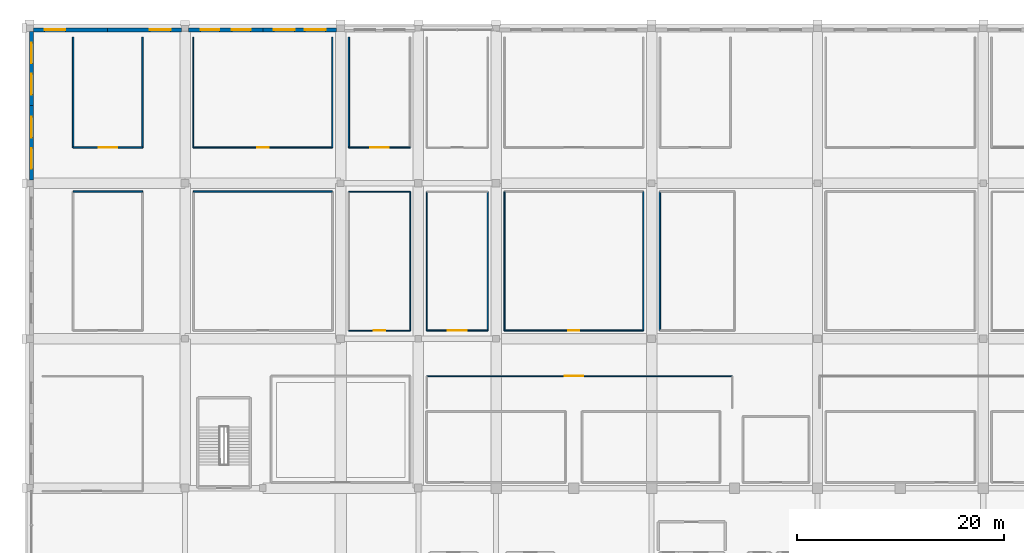
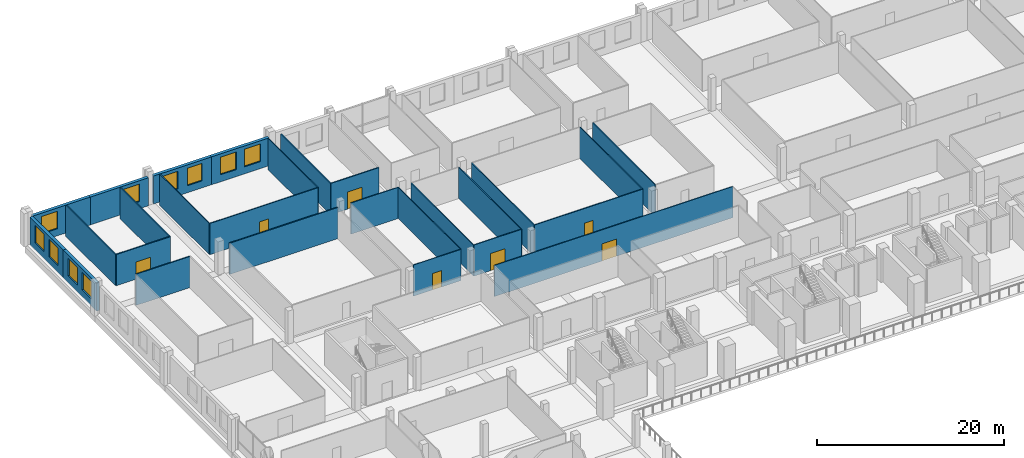
# One storey, part 45 of 64: 27 walls, 10 windows, 7 doors, 17 openings.
"""IFC4 building model written with IfcOpenShell, lengths in metres."""

from ifc_helpers import new_model, si_unit, direction, frame, frame_2d, origin, place, context, subcontext, project, spatial, rectangle, extrude, material, layer, layer_set, type_object, element, fill, save


model = new_model("IFC4")

# Units and contexts
model_context = context("Model", 3, precision=1e-05, world=origin(), true_north=direction((0.0, 1.0)))
body_context = subcontext(model_context, "Body", "Model", "MODEL_VIEW")
ifc_project = project(units=[si_unit("LENGTHUNIT", "METRE"), si_unit("AREAUNIT", "SQUARE_METRE"), si_unit("VOLUMEUNIT", "CUBIC_METRE"), si_unit("PLANEANGLEUNIT", "RADIAN"), si_unit("MASSUNIT", "GRAM", prefix="KILO")], contexts=[model_context])

# Site, building, storey
site_placement = place(None, origin())
site = spatial("IfcSite", under=ifc_project, at=site_placement, CompositionType="ELEMENT")
building_placement = place(site_placement, origin())
building = spatial("IfcBuilding", under=site, at=building_placement, Name="Akrevak Sports Hall", CompositionType="ELEMENT")
storey_placement = place(building_placement, frame((0.0, 0.0, 4.60009765625)))
storey = spatial("IfcBuildingStorey", under=building, at=storey_placement, Name="L01", CompositionType="ELEMENT", Elevation=4.60009765625)

# Wall, opening, window
ifc_material_1 = material(Name="Limestone Ashlar", Category="stone")
ifc_layer_1 = layer(ifc_material_1, 0.080078125, Name="Limestone Ashlar")
ifc_material_2 = material(Name="Mineral Wool Thermal Insulation", Category="insulation")
ifc_layer_2 = layer(ifc_material_2, 0.10009765625, Name="Mineral Wool Thermal Insulation")
ifc_material_3 = material(Name="Concrete C40/50", Category="concrete")
ifc_layer_3 = layer(ifc_material_3, 0.199951171875, Name="Concrete C40/50")
ifc_layer_set_1 = layer_set([ifc_layer_1, ifc_layer_2, ifc_layer_3], Name="Limestone Ashlar / Mineral Wool Thermal Insulation / Concrete C40/50")
wall_type_1 = type_object("IfcWallType", Name="ARC-WL-EXT-380", PredefinedType="SOLIDWALL", material=ifc_layer_set_1)
wall_1_placement = place(storey_placement, frame((7.5, 113.81005859375, 0.0), z_axis=(0.0, 0.0, 1.0), x_axis=(-1.0, 0.0, 0.0)))
wall_1 = element("IfcWall", 1, at=wall_1_placement, inside=storey, type_object=wall_type_1, Name="Exterior Limestone Wall L01-N01", PredefinedType="SOLIDWALL", context=body_context, shape_type="SweptSolid", body=[
    extrude(rectangle(XDim=7.125, YDim=0.3798828125, at=frame_2d((3.5625, 0.0))), origin(), (0.0, 0.0, 1.0), 3.64990234375),
])
opening_1_placement = place(wall_1_placement, frame((4.05859375, 0.0, 0.919921875)))
opening_1 = element("IfcOpeningElement", 2, at=opening_1_placement, cuts=wall_1, Name="Opening WN-29", PredefinedType="OPENING", context=body_context, shape_type="SweptSolid", body=[
    extrude(rectangle(XDim=2.0, YDim=2.300048828125, at=frame_2d((1.0, 1.14990234375))), frame((0.0, 0.201904296875, 0.0), z_axis=(0.0, -1.0, 0.0), x_axis=(1.0, 0.0, 0.0)), (0.0, 0.0, 1.0), 0.40380859375),
])
ifc_material_4 = material(Name="Thermally Broken Bronze Frame & Double Low-E Glass", Category="glass")
window_type_1 = type_object("IfcWindowType", Name="ARC-WIN-SZ-2000x2300", PartitioningType="SINGLE_PANEL", PredefinedType="WINDOW", material=ifc_material_4)
window_1_placement = place(opening_1_placement, origin())
window_1 = element("IfcWindow", 3, at=window_1_placement, inside=storey, type_object=window_type_1, Name="Beaux-Arts Facade Window WIN-L01-N01-1", OverallHeight=2.300048828125, OverallWidth=2.0, PartitioningType="SINGLE_PANEL", PredefinedType="WINDOW", context=body_context, shape_type="SweptSolid", body=[
    extrude(rectangle(XDim=2.0, YDim=2.300048828125, at=frame_2d((1.0, 1.14990234375))), frame((0.0, 0.030029296875, 0.0), z_axis=(0.0, -1.0, 0.0), x_axis=(1.0, 0.0, 0.0)), (0.0, 0.0, 1.0), 0.06005859375),
])
fill(opening_1, window_1)

wall_2_placement = place(storey_placement, frame((14.675048828125, 113.81005859375, 0.0), z_axis=(0.0, 0.0, 1.0), x_axis=(-1.0, 0.0, 0.0)))
wall_2 = element("IfcWall", 4, at=wall_2_placement, inside=storey, type_object=wall_type_1, Name="Exterior Limestone Wall L01-N02", PredefinedType="SOLIDWALL", context=body_context, shape_type="SweptSolid", body=[
    extrude(rectangle(XDim=7.175048828125, YDim=0.3798828125, at=frame_2d((3.58740234375, 0.0))), origin(), (0.0, 0.0, 1.0), 3.64990234375),
])
opening_2_placement = place(wall_2_placement, frame((1.080810546875, 0.0, 0.919921875)))
opening_2 = element("IfcOpeningElement", 5, at=opening_2_placement, cuts=wall_2, Name="Opening WN-29", PredefinedType="OPENING", context=body_context, shape_type="SweptSolid", body=[
    extrude(rectangle(XDim=2.0, YDim=2.300048828125, at=frame_2d((1.0, 1.14990234375))), frame((0.0, 0.201904296875, 0.0), z_axis=(0.0, -1.0, 0.0), x_axis=(1.0, 0.0, 0.0)), (0.0, 0.0, 1.0), 0.40380859375),
])
window_2_placement = place(opening_2_placement, origin())
window_2 = element("IfcWindow", 6, at=window_2_placement, inside=storey, type_object=window_type_1, Name="Beaux-Arts Facade Window WIN-L01-N02-2", OverallHeight=2.300048828125, OverallWidth=2.0, PartitioningType="SINGLE_PANEL", PredefinedType="WINDOW", context=body_context, shape_type="SweptSolid", body=[
    extrude(rectangle(XDim=2.0, YDim=2.300048828125, at=frame_2d((1.0, 1.14990234375))), frame((0.0, 0.030029296875, 0.0), z_axis=(0.0, -1.0, 0.0), x_axis=(1.0, 0.0, 0.0)), (0.0, 0.0, 1.0), 0.06005859375),
])
fill(opening_2, window_2)

# Wall, openings, windows
wall_3_placement = place(storey_placement, frame((22.5, 113.81005859375, 0.0), z_axis=(0.0, 0.0, 1.0), x_axis=(-1.0, 0.0, 0.0)))
wall_3 = element("IfcWall", 7, at=wall_3_placement, inside=storey, type_object=wall_type_1, Name="Exterior Limestone Wall L01-N03", PredefinedType="SOLIDWALL", context=body_context, shape_type="SweptSolid", body=[
    extrude(rectangle(XDim=7.175048828125, YDim=0.3798828125, at=frame_2d((3.58740234375, 0.0))), origin(), (0.0, 0.0, 1.0), 3.64990234375),
])
opening_3_placement = place(wall_3_placement, frame((4.1943359375, 0.0, 0.919921875)))
opening_3 = element("IfcOpeningElement", 8, at=opening_3_placement, cuts=wall_3, Name="Opening WN-31", PredefinedType="OPENING", context=body_context, shape_type="SweptSolid", body=[
    extrude(rectangle(XDim=1.800048828125, YDim=2.300048828125, at=frame_2d((0.89990234375, 1.14990234375))), frame((0.0, 0.201904296875, 0.0), z_axis=(0.0, -1.0, 0.0), x_axis=(1.0, 0.0, 0.0)), (0.0, 0.0, 1.0), 0.40380859375),
])
opening_4_placement = place(wall_3_placement, frame((1.180908203125, 0.0, 0.919921875)))
opening_4 = element("IfcOpeningElement", 9, at=opening_4_placement, cuts=wall_3, Name="Opening WN-31", PredefinedType="OPENING", context=body_context, shape_type="SweptSolid", body=[
    extrude(rectangle(XDim=1.800048828125, YDim=2.300048828125, at=frame_2d((0.89990234375, 1.14990234375))), frame((0.0, 0.201904296875, 0.0), z_axis=(0.0, -1.0, 0.0), x_axis=(1.0, 0.0, 0.0)), (0.0, 0.0, 1.0), 0.40380859375),
])
window_type_2 = type_object("IfcWindowType", Name="ARC-WIN-SZ-1800x2300", PartitioningType="SINGLE_PANEL", PredefinedType="WINDOW", material=ifc_material_4)
window_3_placement = place(opening_3_placement, origin())
window_3 = element("IfcWindow", 10, at=window_3_placement, inside=storey, type_object=window_type_2, Name="Beaux-Arts Facade Window WIN-L01-N03-1", OverallHeight=2.300048828125, OverallWidth=1.800048828125, PartitioningType="SINGLE_PANEL", PredefinedType="WINDOW", context=body_context, shape_type="SweptSolid", body=[
    extrude(rectangle(XDim=1.800048828125, YDim=2.300048828125, at=frame_2d((0.89990234375, 1.14990234375))), frame((0.0, 0.030029296875, 0.0), z_axis=(0.0, -1.0, 0.0), x_axis=(1.0, 0.0, 0.0)), (0.0, 0.0, 1.0), 0.06005859375),
])
fill(opening_3, window_3)
window_4_placement = place(opening_4_placement, origin())
window_4 = element("IfcWindow", 11, at=window_4_placement, inside=storey, type_object=window_type_2, Name="Beaux-Arts Facade Window WIN-L01-N03-2", OverallHeight=2.300048828125, OverallWidth=1.800048828125, PartitioningType="SINGLE_PANEL", PredefinedType="WINDOW", context=body_context, shape_type="SweptSolid", body=[
    extrude(rectangle(XDim=1.800048828125, YDim=2.300048828125, at=frame_2d((0.89990234375, 1.14990234375))), frame((0.0, 0.030029296875, 0.0), z_axis=(0.0, -1.0, 0.0), x_axis=(1.0, 0.0, 0.0)), (0.0, 0.0, 1.0), 0.06005859375),
])
fill(opening_4, window_4)

wall_4_placement = place(storey_placement, frame((29.625, 113.81005859375, 0.0), z_axis=(0.0, 0.0, 1.0), x_axis=(-1.0, 0.0, 0.0)))
wall_4 = element("IfcWall", 12, at=wall_4_placement, inside=storey, type_object=wall_type_1, Name="Exterior Limestone Wall L01-N04", PredefinedType="SOLIDWALL", context=body_context, shape_type="SweptSolid", body=[
    extrude(rectangle(XDim=7.125, YDim=0.3798828125, at=frame_2d((3.5625, 0.0))), origin(), (0.0, 0.0, 1.0), 3.64990234375),
])
opening_5_placement = place(wall_4_placement, frame((4.05859375, 0.0, 0.919921875)))
opening_5 = element("IfcOpeningElement", 13, at=opening_5_placement, cuts=wall_4, Name="Opening WN-29", PredefinedType="OPENING", context=body_context, shape_type="SweptSolid", body=[
    extrude(rectangle(XDim=2.0, YDim=2.300048828125, at=frame_2d((1.0, 1.14990234375))), frame((0.0, 0.201904296875, 0.0), z_axis=(0.0, -1.0, 0.0), x_axis=(1.0, 0.0, 0.0)), (0.0, 0.0, 1.0), 0.40380859375),
])
opening_6_placement = place(wall_4_placement, frame((1.06640625, 0.0, 0.919921875)))
opening_6 = element("IfcOpeningElement", 14, at=opening_6_placement, cuts=wall_4, Name="Opening WN-29", PredefinedType="OPENING", context=body_context, shape_type="SweptSolid", body=[
    extrude(rectangle(XDim=2.0, YDim=2.300048828125, at=frame_2d((1.0, 1.14990234375))), frame((0.0, 0.201904296875, 0.0), z_axis=(0.0, -1.0, 0.0), x_axis=(1.0, 0.0, 0.0)), (0.0, 0.0, 1.0), 0.40380859375),
])
window_5_placement = place(opening_5_placement, origin())
window_5 = element("IfcWindow", 15, at=window_5_placement, inside=storey, type_object=window_type_1, Name="Beaux-Arts Facade Window WIN-L01-N04-1", OverallHeight=2.300048828125, OverallWidth=2.0, PartitioningType="SINGLE_PANEL", PredefinedType="WINDOW", context=body_context, shape_type="SweptSolid", body=[
    extrude(rectangle(XDim=2.0, YDim=2.300048828125, at=frame_2d((1.0, 1.14990234375))), frame((0.0, 0.030029296875, 0.0), z_axis=(0.0, -1.0, 0.0), x_axis=(1.0, 0.0, 0.0)), (0.0, 0.0, 1.0), 0.06005859375),
])
fill(opening_5, window_5)
window_6_placement = place(opening_6_placement, origin())
window_6 = element("IfcWindow", 16, at=window_6_placement, inside=storey, type_object=window_type_1, Name="Beaux-Arts Facade Window WIN-L01-N04-2", OverallHeight=2.300048828125, OverallWidth=2.0, PartitioningType="SINGLE_PANEL", PredefinedType="WINDOW", context=body_context, shape_type="SweptSolid", body=[
    extrude(rectangle(XDim=2.0, YDim=2.300048828125, at=frame_2d((1.0, 1.14990234375))), frame((0.0, 0.030029296875, 0.0), z_axis=(0.0, -1.0, 0.0), x_axis=(1.0, 0.0, 0.0)), (0.0, 0.0, 1.0), 0.06005859375),
])
fill(opening_6, window_6)

wall_5_placement = place(storey_placement, frame((0.18994140625, 106.5, 0.0), z_axis=(0.0, 0.0, 1.0), x_axis=(0.0, -1.0, 0.0)))
wall_5 = element("IfcWall", 17, at=wall_5_placement, inside=storey, type_object=wall_type_1, Name="Exterior Limestone Wall L01-W13", PredefinedType="SOLIDWALL", context=body_context, shape_type="SweptSolid", body=[
    extrude(rectangle(XDim=7.175048828125, YDim=0.3798828125, at=frame_2d((3.58740234375, 0.0))), origin(), (0.0, 0.0, 1.0), 3.64990234375),
])
opening_7_placement = place(wall_5_placement, frame((4.09423828125, 0.0, 0.919921875)))
opening_7 = element("IfcOpeningElement", 18, at=opening_7_placement, cuts=wall_5, Name="Opening WN-29", PredefinedType="OPENING", context=body_context, shape_type="SweptSolid", body=[
    extrude(rectangle(XDim=2.0, YDim=2.300048828125, at=frame_2d((1.0, 1.14990234375))), frame((0.0, 0.201904296875, 0.0), z_axis=(0.0, -1.0, 0.0), x_axis=(1.0, 0.0, 0.0)), (0.0, 0.0, 1.0), 0.40380859375),
])
opening_8_placement = place(wall_5_placement, frame((1.080810546875, 0.0, 0.919921875)))
opening_8 = element("IfcOpeningElement", 19, at=opening_8_placement, cuts=wall_5, Name="Opening WN-29", PredefinedType="OPENING", context=body_context, shape_type="SweptSolid", body=[
    extrude(rectangle(XDim=2.0, YDim=2.300048828125, at=frame_2d((1.0, 1.14990234375))), frame((0.0, 0.201904296875, 0.0), z_axis=(0.0, -1.0, 0.0), x_axis=(1.0, 0.0, 0.0)), (0.0, 0.0, 1.0), 0.40380859375),
])
window_7_placement = place(opening_7_placement, origin())
window_7 = element("IfcWindow", 20, at=window_7_placement, inside=storey, type_object=window_type_1, Name="Beaux-Arts Facade Window WIN-L01-W13-1", OverallHeight=2.300048828125, OverallWidth=2.0, PartitioningType="SINGLE_PANEL", PredefinedType="WINDOW", context=body_context, shape_type="SweptSolid", body=[
    extrude(rectangle(XDim=2.0, YDim=2.300048828125, at=frame_2d((1.0, 1.14990234375))), frame((0.0, 0.030029296875, 0.0), z_axis=(0.0, -1.0, 0.0), x_axis=(1.0, 0.0, 0.0)), (0.0, 0.0, 1.0), 0.06005859375),
])
fill(opening_7, window_7)
window_8_placement = place(opening_8_placement, origin())
window_8 = element("IfcWindow", 21, at=window_8_placement, inside=storey, type_object=window_type_1, Name="Beaux-Arts Facade Window WIN-L01-W13-2", OverallHeight=2.300048828125, OverallWidth=2.0, PartitioningType="SINGLE_PANEL", PredefinedType="WINDOW", context=body_context, shape_type="SweptSolid", body=[
    extrude(rectangle(XDim=2.0, YDim=2.300048828125, at=frame_2d((1.0, 1.14990234375))), frame((0.0, 0.030029296875, 0.0), z_axis=(0.0, -1.0, 0.0), x_axis=(1.0, 0.0, 0.0)), (0.0, 0.0, 1.0), 0.06005859375),
])
fill(opening_8, window_8)

wall_6_placement = place(storey_placement, frame((0.18994140625, 113.625, 0.0), z_axis=(0.0, 0.0, 1.0), x_axis=(0.0, -1.0, 0.0)))
wall_6 = element("IfcWall", 22, at=wall_6_placement, inside=storey, type_object=wall_type_1, Name="Exterior Limestone Wall L01-W14", PredefinedType="SOLIDWALL", context=body_context, shape_type="SweptSolid", body=[
    extrude(rectangle(XDim=7.125, YDim=0.3798828125, at=frame_2d((3.5625, 0.0))), origin(), (0.0, 0.0, 1.0), 3.64990234375),
])
opening_9_placement = place(wall_6_placement, frame((4.058837890625, 0.0, 0.919921875)))
opening_9 = element("IfcOpeningElement", 23, at=opening_9_placement, cuts=wall_6, Name="Opening WN-29", PredefinedType="OPENING", context=body_context, shape_type="SweptSolid", body=[
    extrude(rectangle(XDim=2.0, YDim=2.300048828125, at=frame_2d((1.0, 1.14990234375))), frame((0.0, 0.201904296875, 0.0), z_axis=(0.0, -1.0, 0.0), x_axis=(1.0, 0.0, 0.0)), (0.0, 0.0, 1.0), 0.40380859375),
])
opening_10_placement = place(wall_6_placement, frame((1.066162109375, 0.0, 0.919921875)))
opening_10 = element("IfcOpeningElement", 24, at=opening_10_placement, cuts=wall_6, Name="Opening WN-29", PredefinedType="OPENING", context=body_context, shape_type="SweptSolid", body=[
    extrude(rectangle(XDim=2.0, YDim=2.300048828125, at=frame_2d((1.0, 1.14990234375))), frame((0.0, 0.201904296875, 0.0), z_axis=(0.0, -1.0, 0.0), x_axis=(1.0, 0.0, 0.0)), (0.0, 0.0, 1.0), 0.40380859375),
])
window_9_placement = place(opening_9_placement, origin())
window_9 = element("IfcWindow", 25, at=window_9_placement, inside=storey, type_object=window_type_1, Name="Beaux-Arts Facade Window WIN-L01-W14-1", OverallHeight=2.300048828125, OverallWidth=2.0, PartitioningType="SINGLE_PANEL", PredefinedType="WINDOW", context=body_context, shape_type="SweptSolid", body=[
    extrude(rectangle(XDim=2.0, YDim=2.300048828125, at=frame_2d((1.0, 1.14990234375))), frame((0.0, 0.030029296875, 0.0), z_axis=(0.0, -1.0, 0.0), x_axis=(1.0, 0.0, 0.0)), (0.0, 0.0, 1.0), 0.06005859375),
])
fill(opening_9, window_9)
window_10_placement = place(opening_10_placement, origin())
window_10 = element("IfcWindow", 26, at=window_10_placement, inside=storey, type_object=window_type_1, Name="Beaux-Arts Facade Window WIN-L01-W14-2", OverallHeight=2.300048828125, OverallWidth=2.0, PartitioningType="SINGLE_PANEL", PredefinedType="WINDOW", context=body_context, shape_type="SweptSolid", body=[
    extrude(rectangle(XDim=2.0, YDim=2.300048828125, at=frame_2d((1.0, 1.14990234375))), frame((0.0, 0.030029296875, 0.0), z_axis=(0.0, -1.0, 0.0), x_axis=(1.0, 0.0, 0.0)), (0.0, 0.0, 1.0), 0.06005859375),
])
fill(opening_10, window_10)

# Wall, opening, door
ifc_material_5 = material(Name="Sanitary Cubicle Partition", Category="gypsum")
ifc_layer_4 = layer(ifc_material_5, 0.10009765625, Name="Sanitary Cubicle Partition")
ifc_layer_set_2 = layer_set([ifc_layer_4], Name="Sanitary Cubicle Partition")
wall_type_2 = type_object("IfcWallType", Name="ARC-WL-PRT-100", PredefinedType="PARTITIONING", material=ifc_layer_set_2)
wall_7_placement = place(storey_placement, frame((30.800048828125, 84.800048828125, 0.0), z_axis=(0.0, 0.0, 1.0), x_axis=(1.0, 0.0, 0.0)))
wall_7 = element("IfcWall", 27, at=wall_7_placement, inside=storey, type_object=wall_type_2, Name="Interior Partition Sports Clinic Recovery & Physiotherapy Room L01-3 (S)", PredefinedType="PARTITIONING", context=body_context, shape_type="SweptSolid", body=[
    extrude(rectangle(XDim=5.89990234375, YDim=0.10009765625, at=frame_2d((2.949951171875, 0.0))), origin(), (0.0, 0.0, 1.0), 4.079833984375),
])
opening_11_placement = place(wall_7_placement, frame((2.39990234375, 0.0, 0.0)))
opening_11 = element("IfcOpeningElement", 28, at=opening_11_placement, cuts=wall_7, Name="Opening ID-04", PredefinedType="OPENING", context=body_context, shape_type="SweptSolid", body=[
    extrude(rectangle(XDim=1.10009765625, YDim=2.14990234375, at=frame_2d((0.550048828125, 1.074951171875))), frame((0.0, 0.06201171875, 0.0), z_axis=(0.0, -1.0, 0.0), x_axis=(1.0, 0.0, 0.0)), (0.0, 0.0, 1.0), 0.1240234375),
])
ifc_material_6 = material(Name="Hardwood Oak Acoustic Leaf", Category="wood")
door_type_1 = type_object("IfcDoorType", Name="ARC-DR-OFF-110x215", OperationType="NOTDEFINED", PredefinedType="DOOR", material=ifc_material_6)
door_1_placement = place(opening_11_placement, frame((1.10009765625, 0.0, 0.0), z_axis=(0.0, 0.0, 1.0), x_axis=(-1.0, 0.0, 0.0)))
door_1 = element("IfcDoor", 29, at=door_1_placement, inside=storey, type_object=door_type_1, Name="Door to Sports Clinic Recovery & Physiotherapy Room L01-3", OperationType="SINGLE_SWING_RIGHT", OverallHeight=2.14990234375, OverallWidth=1.10009765625, PredefinedType="DOOR", context=body_context, shape_type="SweptSolid", body=[
    extrude(rectangle(XDim=1.10009765625, YDim=2.14990234375, at=frame_2d((0.550048828125, 1.074951171875))), frame((0.0, 0.02490234375, 0.0), z_axis=(0.0, -1.0, 0.0), x_axis=(1.0, 0.0, 0.0)), (0.0, 0.0, 1.0), 0.050048828125),
])
fill(opening_11, door_1)

# Walls
wall_8_placement = place(storey_placement, frame((30.800048828125, 98.199951171875, 0.0), z_axis=(0.0, 0.0, 1.0), x_axis=(1.0, 0.0, 0.0)))
element("IfcWall", 30, at=wall_8_placement, inside=storey, type_object=wall_type_2, Name="Interior Partition Sports Clinic Recovery & Physiotherapy Room L01-3 (N)", PredefinedType="PARTITIONING", context=body_context, shape_type="SweptSolid", body=[
    extrude(rectangle(XDim=5.89990234375, YDim=0.10009765625, at=frame_2d((2.949951171875, 0.0))), origin(), (0.0, 0.0, 1.0), 4.079833984375),
])
wall_9_placement = place(storey_placement, frame((36.699951171875, 84.800048828125, 0.0), z_axis=(0.0, 0.0, 1.0), x_axis=(0.0, 1.0, 0.0)))
element("IfcWall", 31, at=wall_9_placement, inside=storey, type_object=wall_type_2, Name="Interior Partition Sports Clinic Recovery & Physiotherapy Room L01-3 (E)", PredefinedType="PARTITIONING", context=body_context, shape_type="SweptSolid", body=[
    extrude(rectangle(XDim=13.39990234375, YDim=0.10009765625, at=frame_2d((6.699951171875, 0.0))), origin(), (0.0, 0.0, 1.0), 4.079833984375),
])

# Wall, opening, door
wall_10_placement = place(storey_placement, frame((38.300048828125, 80.39990234375, 0.0), z_axis=(0.0, 0.0, 1.0), x_axis=(1.0, 0.0, 0.0)))
wall_10 = element("IfcWall", 32, at=wall_10_placement, inside=storey, type_object=wall_type_2, Name="Interior Partition North Concourse Equipment Storage L01 (N)", PredefinedType="PARTITIONING", context=body_context, shape_type="SweptSolid", body=[
    extrude(rectangle(XDim=29.5, YDim=0.10009765625, at=frame_2d((14.75, 0.0))), origin(), (0.0, 0.0, 1.0), 4.079833984375),
])
opening_12_placement = place(wall_10_placement, frame((13.300048828125, 0.0, 0.0)))
opening_12 = element("IfcOpeningElement", 33, at=opening_12_placement, cuts=wall_10, Name="Opening ID-02", PredefinedType="OPENING", context=body_context, shape_type="SweptSolid", body=[
    extrude(rectangle(XDim=1.800048828125, YDim=2.25, at=frame_2d((0.89990234375, 1.125))), frame((0.0, 0.06201171875, 0.0), z_axis=(0.0, -1.0, 0.0), x_axis=(1.0, 0.0, 0.0)), (0.0, 0.0, 1.0), 0.1240234375),
])
ifc_material_7 = material(Name="Hardwood Oak & Safety Glass", Category="wood")
door_type_2 = type_object("IfcDoorType", Name="ARC-DR-HALL-180x225", OperationType="DOUBLE_DOOR_SINGLE_SWING", PredefinedType="DOOR", material=ifc_material_7)
door_2_placement = place(opening_12_placement, origin())
door_2 = element("IfcDoor", 34, at=door_2_placement, inside=storey, type_object=door_type_2, Name="Door to North Concourse Equipment Storage L01", OperationType="DOUBLE_DOOR_SINGLE_SWING", OverallHeight=2.25, OverallWidth=1.800048828125, PredefinedType="DOOR", context=body_context, shape_type="SweptSolid", body=[
    extrude(rectangle(XDim=1.800048828125, YDim=2.25, at=frame_2d((0.89990234375, 1.125))), frame((0.0, 0.02490234375, 0.0), z_axis=(0.0, -1.0, 0.0), x_axis=(1.0, 0.0, 0.0)), (0.0, 0.0, 1.0), 0.050048828125),
])
fill(opening_12, door_2)

ifc_material_8 = material(Name="Lightweight Office Partition", Category="gypsum")
ifc_layer_5 = layer(ifc_material_8, 0.110107421875, Name="Lightweight Office Partition")
ifc_layer_set_3 = layer_set([ifc_layer_5], Name="Lightweight Office Partition")
wall_type_3 = type_object("IfcWallType", Name="ARC-WL-PRT-110", PredefinedType="PARTITIONING", material=ifc_layer_set_3)
wall_11_placement = place(storey_placement, frame((38.300048828125, 84.800048828125, 0.0), z_axis=(0.0, 0.0, 1.0), x_axis=(1.0, 0.0, 0.0)))
wall_11 = element("IfcWall", 35, at=wall_11_placement, inside=storey, type_object=wall_type_3, Name="Interior Partition Athletic Gear & Equipment Storage L01-4 (S)", PredefinedType="PARTITIONING", context=body_context, shape_type="SweptSolid", body=[
    extrude(rectangle(XDim=5.89990234375, YDim=0.110107421875, at=frame_2d((2.949951171875, 0.0))), origin(), (0.0, 0.0, 1.0), 4.079833984375),
])
opening_13_placement = place(wall_11_placement, frame((2.050048828125, 0.0, 0.0)))
opening_13 = element("IfcOpeningElement", 36, at=opening_13_placement, cuts=wall_11, Name="Opening ID-02", PredefinedType="OPENING", context=body_context, shape_type="SweptSolid", body=[
    extrude(rectangle(XDim=1.800048828125, YDim=2.25, at=frame_2d((0.89990234375, 1.125))), frame((0.0, 0.06689453125, 0.0), z_axis=(0.0, -1.0, 0.0), x_axis=(1.0, 0.0, 0.0)), (0.0, 0.0, 1.0), 0.134033203125),
])
door_3_placement = place(opening_13_placement, origin())
door_3 = element("IfcDoor", 37, at=door_3_placement, inside=storey, type_object=door_type_2, Name="Door to Athletic Gear & Equipment Storage L01-4", OperationType="DOUBLE_DOOR_SINGLE_SWING", OverallHeight=2.25, OverallWidth=1.800048828125, PredefinedType="DOOR", context=body_context, shape_type="SweptSolid", body=[
    extrude(rectangle(XDim=1.800048828125, YDim=2.25, at=frame_2d((0.89990234375, 1.125))), frame((0.0, 0.02490234375, 0.0), z_axis=(0.0, -1.0, 0.0), x_axis=(1.0, 0.0, 0.0)), (0.0, 0.0, 1.0), 0.050048828125),
])
fill(opening_13, door_3)

# Walls
for number, where, z_axis, x_axis, name in (
    (38, (38.300048828125, 84.800048828125, 0.0), (0.0, 0.0, 1.0), (0.0, 1.0, 0.0), "Interior Partition Athletic Gear & Equipment Storage L01-4 (W)"),
    (39, (44.199951171875, 84.800048828125, 0.0), (0.0, 0.0, 1.0), (0.0, 1.0, 0.0), "Interior Partition Athletic Gear & Equipment Storage L01-4 (E)"),
):
    element("IfcWall", number, at=place(storey_placement, frame(where, z_axis=z_axis, x_axis=x_axis)), inside=storey, type_object=wall_type_3, Name=name, PredefinedType="PARTITIONING", context=body_context, shape_type="SweptSolid", body=[
        extrude(rectangle(XDim=13.39990234375, YDim=0.110107421875, at=frame_2d((6.699951171875, 0.0))), origin(), (0.0, 0.0, 1.0), 4.079833984375),
    ])

# Wall, opening, door
wall_12_placement = place(storey_placement, frame((15.800048828125, 102.449951171875, 0.0), z_axis=(0.0, 0.0, 1.0), x_axis=(1.0, 0.0, 0.0)))
wall_12 = element("IfcWall", 40, at=wall_12_placement, inside=storey, type_object=wall_type_3, Name="Interior Partition Federation Officiating & Records Office L01-2 (S)", PredefinedType="PARTITIONING", context=body_context, shape_type="SweptSolid", body=[
    extrude(rectangle(XDim=13.39990234375, YDim=0.110107421875, at=frame_2d((6.699951171875, 0.0))), origin(), (0.0, 0.0, 1.0), 4.079833984375),
])
opening_14_placement = place(wall_12_placement, frame((6.14990234375, 0.0, 0.0)))
opening_14 = element("IfcOpeningElement", 41, at=opening_14_placement, cuts=wall_12, Name="Opening ID-04", PredefinedType="OPENING", context=body_context, shape_type="SweptSolid", body=[
    extrude(rectangle(XDim=1.10009765625, YDim=2.14990234375, at=frame_2d((0.550048828125, 1.074951171875))), frame((0.0, 0.06689453125, 0.0), z_axis=(0.0, -1.0, 0.0), x_axis=(1.0, 0.0, 0.0)), (0.0, 0.0, 1.0), 0.134033203125),
])
door_4_placement = place(opening_14_placement, frame((1.10009765625, 0.0, 0.0), z_axis=(0.0, 0.0, 1.0), x_axis=(-1.0, 0.0, 0.0)))
door_4 = element("IfcDoor", 42, at=door_4_placement, inside=storey, type_object=door_type_1, Name="Door to Federation Officiating & Records Office L01-2", OperationType="SINGLE_SWING_RIGHT", OverallHeight=2.14990234375, OverallWidth=1.10009765625, PredefinedType="DOOR", context=body_context, shape_type="SweptSolid", body=[
    extrude(rectangle(XDim=1.10009765625, YDim=2.14990234375, at=frame_2d((0.550048828125, 1.074951171875))), frame((0.0, 0.02490234375, 0.0), z_axis=(0.0, -1.0, 0.0), x_axis=(1.0, 0.0, 0.0)), (0.0, 0.0, 1.0), 0.050048828125),
])
fill(opening_14, door_4)

# Walls
for number, where, z_axis, x_axis, name in (
    (43, (15.800048828125, 102.449951171875, 0.0), (0.0, 0.0, 1.0), (0.0, 1.0, 0.0), "Interior Partition Federation Officiating & Records Office L01-2 (W)"),
    (44, (29.199951171875, 102.449951171875, 0.0), (0.0, 0.0, 1.0), (0.0, 1.0, 0.0), "Interior Partition Federation Officiating & Records Office L01-2 (E)"),
):
    element("IfcWall", number, at=place(storey_placement, frame(where, z_axis=z_axis, x_axis=x_axis)), inside=storey, type_object=wall_type_3, Name=name, PredefinedType="PARTITIONING", context=body_context, shape_type="SweptSolid", body=[
        extrude(rectangle(XDim=10.650146484375, YDim=0.110107421875, at=frame_2d((5.3251953125, 0.0))), origin(), (0.0, 0.0, 1.0), 4.079833984375),
    ])

# Wall, opening, door
ifc_material_9 = material(Name="Standard Metal Stud Partition", Category="gypsum")
ifc_layer_6 = layer(ifc_material_9, 0.1201171875, Name="Standard Metal Stud Partition")
ifc_layer_set_4 = layer_set([ifc_layer_6], Name="Standard Metal Stud Partition")
wall_type_4 = type_object("IfcWallType", Name="ARC-WL-PRT-120", PredefinedType="PARTITIONING", material=ifc_layer_set_4)
wall_13_placement = place(storey_placement, frame((45.800048828125, 84.800048828125, 0.0), z_axis=(0.0, 0.0, 1.0), x_axis=(1.0, 0.0, 0.0)))
wall_13 = element("IfcWall", 45, at=wall_13_placement, inside=storey, type_object=wall_type_4, Name="Interior Partition Sports Federation Training Office L01-5 (S)", PredefinedType="PARTITIONING", context=body_context, shape_type="SweptSolid", body=[
    extrude(rectangle(XDim=13.39990234375, YDim=0.1201171875, at=frame_2d((6.699951171875, 0.0))), origin(), (0.0, 0.0, 1.0), 4.079833984375),
])
opening_15_placement = place(wall_13_placement, frame((6.175048828125, 0.0, 0.0)))
opening_15 = element("IfcOpeningElement", 46, at=opening_15_placement, cuts=wall_13, Name="Opening ID-05", PredefinedType="OPENING", context=body_context, shape_type="SweptSolid", body=[
    extrude(rectangle(XDim=1.050048828125, YDim=2.14990234375, at=frame_2d((0.52490234375, 1.074951171875))), frame((0.0, 0.072021484375, 0.0), z_axis=(0.0, -1.0, 0.0), x_axis=(1.0, 0.0, 0.0)), (0.0, 0.0, 1.0), 0.14404296875),
])
door_type_3 = type_object("IfcDoorType", Name="ARC-DR-OFF-105x215", OperationType="NOTDEFINED", PredefinedType="DOOR", material=ifc_material_6)
door_5_placement = place(opening_15_placement, origin())
door_5 = element("IfcDoor", 47, at=door_5_placement, inside=storey, type_object=door_type_3, Name="Door to Sports Federation Training Office L01-5", OperationType="SINGLE_SWING_LEFT", OverallHeight=2.14990234375, OverallWidth=1.050048828125, PredefinedType="DOOR", context=body_context, shape_type="SweptSolid", body=[
    extrude(rectangle(XDim=1.050048828125, YDim=2.14990234375, at=frame_2d((0.52490234375, 1.074951171875))), frame((0.0, 0.02490234375, 0.0), z_axis=(0.0, -1.0, 0.0), x_axis=(1.0, 0.0, 0.0)), (0.0, 0.0, 1.0), 0.050048828125),
])
fill(opening_15, door_5)

# Walls
for number, where, z_axis, x_axis, name in (
    (48, (45.800048828125, 84.800048828125, 0.0), (0.0, 0.0, 1.0), (0.0, 1.0, 0.0), "Interior Partition Sports Federation Training Office L01-5 (W)"),
    (49, (59.199951171875, 84.800048828125, 0.0), (0.0, 0.0, 1.0), (0.0, 1.0, 0.0), "Interior Partition Sports Federation Training Office L01-5 (E)"),
):
    element("IfcWall", number, at=place(storey_placement, frame(where, z_axis=z_axis, x_axis=x_axis)), inside=storey, type_object=wall_type_4, Name=name, PredefinedType="PARTITIONING", context=body_context, shape_type="SweptSolid", body=[
        extrude(rectangle(XDim=13.39990234375, YDim=0.1201171875, at=frame_2d((6.699951171875, 0.0))), origin(), (0.0, 0.0, 1.0), 4.079833984375),
    ])
ifc_material_10 = material(Name="Acoustic Metal Stud Partition", Category="gypsum")
ifc_layer_7 = layer(ifc_material_10, 0.1298828125, Name="Acoustic Metal Stud Partition")
ifc_layer_set_5 = layer_set([ifc_layer_7], Name="Acoustic Metal Stud Partition")
wall_type_5 = type_object("IfcWallType", Name="ARC-WL-PRT-130", PredefinedType="PARTITIONING", material=ifc_layer_set_5)
wall_14_placement = place(storey_placement, frame((4.199951171875, 98.199951171875, 0.0), z_axis=(0.0, 0.0, 1.0), x_axis=(1.0, 0.0, 0.0)))
element("IfcWall", 50, at=wall_14_placement, inside=storey, type_object=wall_type_5, Name="Interior Partition Athletic Gear & Equipment Storage L01-1 (N)", PredefinedType="PARTITIONING", context=body_context, shape_type="SweptSolid", body=[
    extrude(rectangle(XDim=6.699951171875, YDim=0.1298828125, at=frame_2d((3.35009765625, 0.0))), origin(), (0.0, 0.0, 1.0), 4.079833984375),
])
wall_15_placement = place(storey_placement, frame((60.800048828125, 84.800048828125, 0.0), z_axis=(0.0, 0.0, 1.0), x_axis=(0.0, 1.0, 0.0)))
element("IfcWall", 51, at=wall_15_placement, inside=storey, type_object=wall_type_5, Name="Interior Partition Sports Clinic Recovery & Physiotherapy Room L01-6 (W)", PredefinedType="PARTITIONING", context=body_context, shape_type="SweptSolid", body=[
    extrude(rectangle(XDim=13.39990234375, YDim=0.1298828125, at=frame_2d((6.699951171875, 0.0))), origin(), (0.0, 0.0, 1.0), 4.079833984375),
])

# Wall, opening, door
wall_16_placement = place(storey_placement, frame((30.800048828125, 102.449951171875, 0.0), z_axis=(0.0, 0.0, 1.0), x_axis=(1.0, 0.0, 0.0)))
wall_16 = element("IfcWall", 52, at=wall_16_placement, inside=storey, type_object=wall_type_5, Name="Interior Partition Competition Equipment Storage L01-3 (S)", PredefinedType="PARTITIONING", context=body_context, shape_type="SweptSolid", body=[
    extrude(rectangle(XDim=5.89990234375, YDim=0.1298828125, at=frame_2d((2.949951171875, 0.0))), origin(), (0.0, 0.0, 1.0), 4.079833984375),
])
opening_16_placement = place(wall_16_placement, frame((2.050048828125, 0.0, 0.0)))
opening_16 = element("IfcOpeningElement", 53, at=opening_16_placement, cuts=wall_16, Name="Opening ID-02", PredefinedType="OPENING", context=body_context, shape_type="SweptSolid", body=[
    extrude(rectangle(XDim=1.800048828125, YDim=2.25, at=frame_2d((0.89990234375, 1.125))), frame((0.0, 0.076904296875, 0.0), z_axis=(0.0, -1.0, 0.0), x_axis=(1.0, 0.0, 0.0)), (0.0, 0.0, 1.0), 0.15380859375),
])
door_6_placement = place(opening_16_placement, origin())
door_6 = element("IfcDoor", 54, at=door_6_placement, inside=storey, type_object=door_type_2, Name="Door to Competition Equipment Storage L01-3", OperationType="DOUBLE_DOOR_SINGLE_SWING", OverallHeight=2.25, OverallWidth=1.800048828125, PredefinedType="DOOR", context=body_context, shape_type="SweptSolid", body=[
    extrude(rectangle(XDim=1.800048828125, YDim=2.25, at=frame_2d((0.89990234375, 1.125))), frame((0.0, 0.02490234375, 0.0), z_axis=(0.0, -1.0, 0.0), x_axis=(1.0, 0.0, 0.0)), (0.0, 0.0, 1.0), 0.050048828125),
])
fill(opening_16, door_6)

# Walls
wall_17_placement = place(storey_placement, frame((30.800048828125, 102.449951171875, 0.0), z_axis=(0.0, 0.0, 1.0), x_axis=(0.0, 1.0, 0.0)))
element("IfcWall", 55, at=wall_17_placement, inside=storey, type_object=wall_type_5, Name="Interior Partition Competition Equipment Storage L01-3 (W)", PredefinedType="PARTITIONING", context=body_context, shape_type="SweptSolid", body=[
    extrude(rectangle(XDim=10.650146484375, YDim=0.1298828125, at=frame_2d((5.3251953125, 0.0))), origin(), (0.0, 0.0, 1.0), 4.079833984375),
])
ifc_material_11 = material(Name="Double Stud Acoustic Gypsum Partition", Category="gypsum")
ifc_layer_8 = layer(ifc_material_11, 0.14990234375, Name="Double Stud Acoustic Gypsum Partition")
ifc_layer_set_6 = layer_set([ifc_layer_8], Name="Double Stud Acoustic Gypsum Partition")
wall_type_6 = type_object("IfcWallType", Name="ARC-WL-PRT-150", PredefinedType="PARTITIONING", material=ifc_layer_set_6)
wall_18_placement = place(storey_placement, frame((15.800048828125, 98.199951171875, 0.0), z_axis=(0.0, 0.0, 1.0), x_axis=(1.0, 0.0, 0.0)))
element("IfcWall", 56, at=wall_18_placement, inside=storey, type_object=wall_type_6, Name="Interior Partition Sports Federation Training Office L01-2 (N)", PredefinedType="PARTITIONING", context=body_context, shape_type="SweptSolid", body=[
    extrude(rectangle(XDim=13.39990234375, YDim=0.14990234375, at=frame_2d((6.699951171875, 0.0))), origin(), (0.0, 0.0, 1.0), 4.079833984375),
])

# Wall, opening, door
wall_19_placement = place(storey_placement, frame((4.199951171875, 102.449951171875, 0.0), z_axis=(0.0, 0.0, 1.0), x_axis=(1.0, 0.0, 0.0)))
wall_19 = element("IfcWall", 57, at=wall_19_placement, inside=storey, type_object=wall_type_6, Name="Interior Partition Competition Equipment Storage L01-1 (S)", PredefinedType="PARTITIONING", context=body_context, shape_type="SweptSolid", body=[
    extrude(rectangle(XDim=6.699951171875, YDim=0.14990234375, at=frame_2d((3.35009765625, 0.0))), origin(), (0.0, 0.0, 1.0), 4.079833984375),
])
opening_17_placement = place(wall_19_placement, frame((2.449951171875, 0.0, 0.0)))
opening_17 = element("IfcOpeningElement", 58, at=opening_17_placement, cuts=wall_19, Name="Opening ID-02", PredefinedType="OPENING", context=body_context, shape_type="SweptSolid", body=[
    extrude(rectangle(XDim=1.800048828125, YDim=2.25, at=frame_2d((0.89990234375, 1.125))), frame((0.0, 0.0869140625, 0.0), z_axis=(0.0, -1.0, 0.0), x_axis=(1.0, 0.0, 0.0)), (0.0, 0.0, 1.0), 0.173828125),
])
door_7_placement = place(opening_17_placement, origin())
door_7 = element("IfcDoor", 59, at=door_7_placement, inside=storey, type_object=door_type_2, Name="Door to Competition Equipment Storage L01-1", OperationType="DOUBLE_DOOR_SINGLE_SWING", OverallHeight=2.25, OverallWidth=1.800048828125, PredefinedType="DOOR", context=body_context, shape_type="SweptSolid", body=[
    extrude(rectangle(XDim=1.800048828125, YDim=2.25, at=frame_2d((0.89990234375, 1.125))), frame((0.0, 0.02490234375, 0.0), z_axis=(0.0, -1.0, 0.0), x_axis=(1.0, 0.0, 0.0)), (0.0, 0.0, 1.0), 0.050048828125),
])
fill(opening_17, door_7)

# Walls
for number, where, z_axis, x_axis, name in (
    (60, (4.199951171875, 102.449951171875, 0.0), (0.0, 0.0, 1.0), (0.0, 1.0, 0.0), "Interior Partition Competition Equipment Storage L01-1 (W)"),
    (61, (10.89990234375, 102.449951171875, 0.0), (0.0, 0.0, 1.0), (0.0, 1.0, 0.0), "Interior Partition Competition Equipment Storage L01-1 (E)"),
):
    element("IfcWall", number, at=place(storey_placement, frame(where, z_axis=z_axis, x_axis=x_axis)), inside=storey, type_object=wall_type_6, Name=name, PredefinedType="PARTITIONING", context=body_context, shape_type="SweptSolid", body=[
        extrude(rectangle(XDim=10.650146484375, YDim=0.14990234375, at=frame_2d((5.3251953125, 0.0))), origin(), (0.0, 0.0, 1.0), 4.079833984375),
    ])

save(model, "model.ifc")
